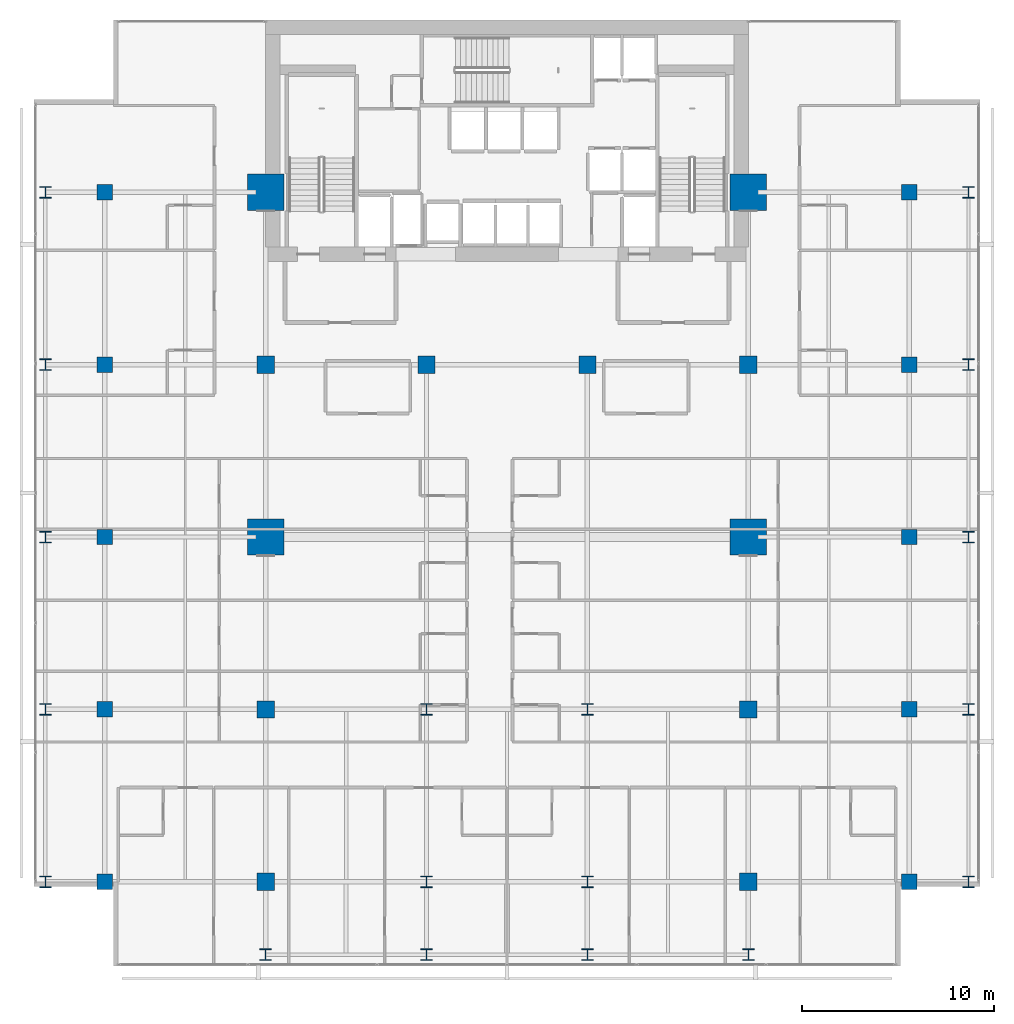
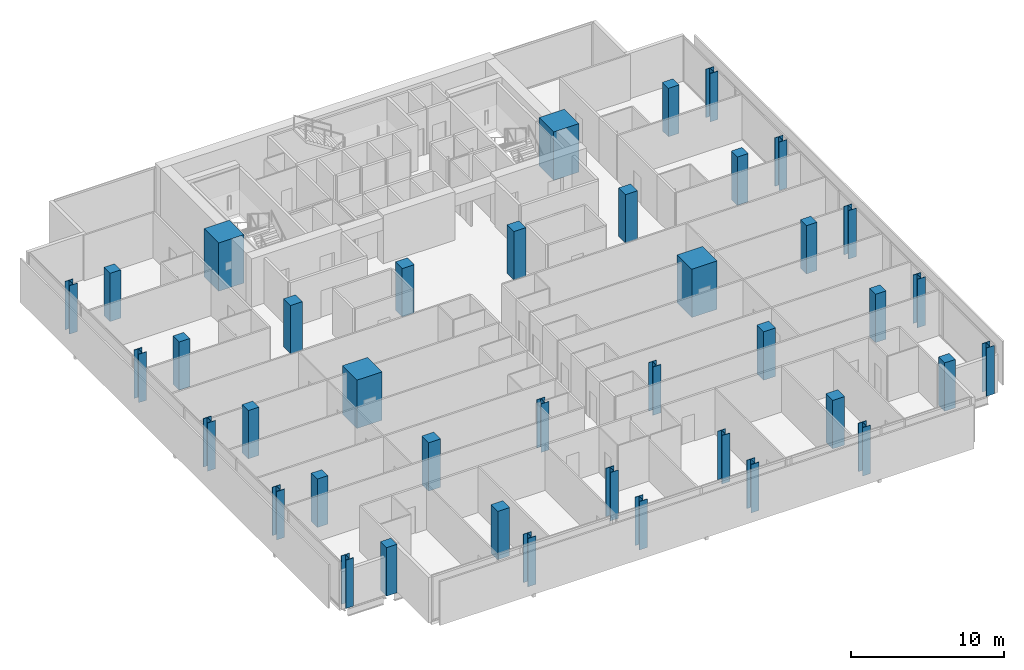
# One storey, part 1 of 34: 40 columns.
"""IFC4 building model written with IfcOpenShell, lengths in metres."""

from ifc_helpers import new_model, si_unit, direction, frame, origin, origin_2d, place, context, subcontext, project, spatial, rectangle, i_section, extrude, material, material_profile, profile_set, type_object, element, save


model = new_model("IFC4")

# Units and contexts
model_context = context("Model", 3, precision=1e-05, world=origin(), true_north=direction((0.0, 1.0)))
body_context = subcontext(model_context, "Body", "Model", "MODEL_VIEW")
ifc_project = project(units=[si_unit("LENGTHUNIT", "METRE"), si_unit("AREAUNIT", "SQUARE_METRE"), si_unit("VOLUMEUNIT", "CUBIC_METRE"), si_unit("PLANEANGLEUNIT", "RADIAN"), si_unit("MASSUNIT", "GRAM", prefix="KILO")], contexts=[model_context])

# Site, building, storey
site_placement = place(None, origin())
site = spatial("IfcSite", under=ifc_project, at=site_placement, CompositionType="ELEMENT")
building_placement = place(site_placement, origin())
building = spatial("IfcBuilding", under=site, at=building_placement, Name="Maruvema Waterfront Hotel and Observation Tower", CompositionType="ELEMENT")
storey_placement = place(building_placement, frame((0.0, 0.0, 189.0)))
storey = spatial("IfcBuildingStorey", under=building, at=storey_placement, Name="L46", CompositionType="ELEMENT", Elevation=189.0)

# Columns
ifc_material_1 = material(Name="Concrete C80/95", Category="concrete")
ifc_material_profile_1 = material_profile(ifc_material_1, rectangle(XDim=1.89990234375, YDim=1.89990234375, at=origin_2d()), Name="MC1900x1900")
ifc_profile_set_1 = profile_set([ifc_material_profile_1], Name="Concrete C80/95")
column_type_1 = type_object("IfcColumnType", Name="Continuous Mega-Column MC1900x1900", PredefinedType="COLUMN", material=ifc_profile_set_1)
for number, where, z_axis, x_axis, name in (
    (1, (25.199951171875, 27.0, 0.0), (0.0, 0.0, 1.0), (1.0, 0.0, 0.0), "L46 Continuous Mega-Column MC-01"),
    (2, (50.39990234375, 27.0, 0.0), (0.0, 0.0, 1.0), (1.0, 0.0, 0.0), "L46 Continuous Mega-Column MC-02"),
    (3, (25.199951171875, 45.0, 0.0), (0.0, 0.0, 1.0), (1.0, 0.0, 0.0), "L46 Continuous Mega-Column MC-03"),
    (4, (50.39990234375, 45.0, 0.0), (0.0, 0.0, 1.0), (1.0, 0.0, 0.0), "L46 Continuous Mega-Column MC-04"),
):
    element("IfcColumn", number, at=place(storey_placement, frame(where, z_axis=z_axis, x_axis=x_axis)), inside=storey, type_object=column_type_1, Name=name, PredefinedType="COLUMN", context=body_context, shape_type="SweptSolid", body=[
        extrude(rectangle(XDim=1.89990234375, YDim=1.89990234375, at=origin_2d()), origin(), (0.0, 0.0, 1.0), 3.85009765625),
    ])
ifc_material_2 = material(Name="Concrete C60/75", Category="concrete")
ifc_material_profile_2 = material_profile(ifc_material_2, rectangle(XDim=0.800048828125, YDim=0.800048828125, at=origin_2d()), Name="RC800x800")
ifc_profile_set_2 = profile_set([ifc_material_profile_2], Name="Concrete C60/75")
column_type_2 = type_object("IfcColumnType", Name="Reinforced Concrete Column RC800x800", PredefinedType="COLUMN", material=ifc_profile_set_2)
for number, where, z_axis, x_axis, name in (
    (5, (16.800048828125, 9.0, 0.0), (0.0, 0.0, 1.0), (1.0, 0.0, 0.0), "L46 Column C-3Y9"),
    (6, (58.800048828125, 9.0, 0.0), (0.0, 0.0, 1.0), (1.0, 0.0, 0.0), "L46 Column C-8Y9"),
    (7, (16.800048828125, 18.0, 0.0), (0.0, 0.0, 1.0), (1.0, 0.0, 0.0), "L46 Column C-3Y18"),
    (8, (58.800048828125, 18.0, 0.0), (0.0, 0.0, 1.0), (1.0, 0.0, 0.0), "L46 Column C-8Y18"),
    (9, (16.800048828125, 27.0, 0.0), (0.0, 0.0, 1.0), (1.0, 0.0, 0.0), "L46 Column C-3Y27"),
    (10, (58.800048828125, 27.0, 0.0), (0.0, 0.0, 1.0), (1.0, 0.0, 0.0), "L46 Column C-8Y27"),
    (11, (16.800048828125, 36.0, 0.0), (0.0, 0.0, 1.0), (1.0, 0.0, 0.0), "L46 Column C-3Y36"),
    (12, (58.800048828125, 36.0, 0.0), (0.0, 0.0, 1.0), (1.0, 0.0, 0.0), "L46 Column C-8Y36"),
    (13, (16.800048828125, 45.0, 0.0), (0.0, 0.0, 1.0), (1.0, 0.0, 0.0), "L46 Column C-3Y45"),
    (14, (58.800048828125, 45.0, 0.0), (0.0, 0.0, 1.0), (1.0, 0.0, 0.0), "L46 Column C-8Y45"),
):
    element("IfcColumn", number, at=place(storey_placement, frame(where, z_axis=z_axis, x_axis=x_axis)), inside=storey, type_object=column_type_2, Name=name, PredefinedType="COLUMN", context=body_context, shape_type="SweptSolid", body=[
        extrude(rectangle(XDim=0.800048828125, YDim=0.800048828125, at=origin_2d()), origin(), (0.0, 0.0, 1.0), 3.85009765625),
    ])
ifc_material_3 = material(Name="Concrete C60/75", Category="concrete")
ifc_material_profile_3 = material_profile(ifc_material_3, rectangle(XDim=0.89990234375, YDim=0.89990234375, at=origin_2d()), Name="RC900x900")
ifc_profile_set_3 = profile_set([ifc_material_profile_3], Name="Concrete C60/75")
column_type_3 = type_object("IfcColumnType", Name="Reinforced Concrete Column RC900x900", PredefinedType="COLUMN", material=ifc_profile_set_3)
for number, where, z_axis, x_axis, name in (
    (15, (25.199951171875, 36.0, 0.0), (0.0, 0.0, 1.0), (1.0, 0.0, 0.0), "L46 Column C-4E"),
    (16, (33.60009765625, 36.0, 0.0), (0.0, 0.0, 1.0), (1.0, 0.0, 0.0), "L46 Column C-5E"),
    (17, (42.0, 36.0, 0.0), (0.0, 0.0, 1.0), (1.0, 0.0, 0.0), "L46 Column C-6E"),
    (18, (50.39990234375, 36.0, 0.0), (0.0, 0.0, 1.0), (1.0, 0.0, 0.0), "L46 Column C-7E"),
    (19, (25.199951171875, 18.0, 0.0), (0.0, 0.0, 1.0), (1.0, 0.0, 0.0), "L46 Column C-4C"),
    (20, (50.39990234375, 18.0, 0.0), (0.0, 0.0, 1.0), (1.0, 0.0, 0.0), "L46 Column C-7C"),
    (21, (25.199951171875, 9.0, 0.0), (0.0, 0.0, 1.0), (1.0, 0.0, 0.0), "L46 Column C-4B"),
    (22, (50.39990234375, 9.0, 0.0), (0.0, 0.0, 1.0), (1.0, 0.0, 0.0), "L46 Column C-7B"),
):
    element("IfcColumn", number, at=place(storey_placement, frame(where, z_axis=z_axis, x_axis=x_axis)), inside=storey, type_object=column_type_3, Name=name, PredefinedType="COLUMN", context=body_context, shape_type="SweptSolid", body=[
        extrude(rectangle(XDim=0.89990234375, YDim=0.89990234375, at=origin_2d()), origin(), (0.0, 0.0, 1.0), 3.85009765625),
    ])
ifc_material_4 = material(Name="Steel ABNT NBR 7007 AR 415 (ASTM A572 Grade 50)", Category="steel")
ifc_material_profile_4 = material_profile(ifc_material_4, i_section(OverallWidth=0.60009765625, OverallDepth=0.60009765625, WebThickness=0.02490234375, FlangeThickness=0.0380859375, at=origin_2d()), Name="CVS600x317")
ifc_profile_set_4 = profile_set([ifc_material_profile_4], Name="Steel ABNT NBR 7007 AR 415 (ASTM A572 Grade 50)")
column_type_4 = type_object("IfcColumnType", Name="Structural Steel Column CVS600x317", PredefinedType="COLUMN", material=ifc_profile_set_4)
for number, where, z_axis, x_axis, name in (
    (23, (33.60009765625, 9.0, 0.0), (0.0, 0.0, 1.0), (1.0, 0.0, 0.0), "L46 Column C-5B"),
    (24, (42.0, 9.0, 0.0), (0.0, 0.0, 1.0), (1.0, 0.0, 0.0), "L46 Column C-6B"),
    (25, (33.60009765625, 18.0, 0.0), (0.0, 0.0, 1.0), (1.0, 0.0, 0.0), "L46 Column C-5C"),
    (26, (42.0, 18.0, 0.0), (0.0, 0.0, 1.0), (1.0, 0.0, 0.0), "L46 Column C-6C"),
    (27, (13.699951171875, 9.0, 0.0), (0.0, 0.0, 1.0), (1.0, 0.0, 0.0), "L46 Column C-Z2W9"),
    (28, (61.89990234375, 9.0, 0.0), (0.0, 0.0, 1.0), (1.0, 0.0, 0.0), "L46 Column C-Z2E9"),
    (29, (13.699951171875, 18.0, 0.0), (0.0, 0.0, 1.0), (1.0, 0.0, 0.0), "L46 Column C-Z2W18"),
    (30, (61.89990234375, 18.0, 0.0), (0.0, 0.0, 1.0), (1.0, 0.0, 0.0), "L46 Column C-Z2E18"),
    (31, (13.699951171875, 27.0, 0.0), (0.0, 0.0, 1.0), (1.0, 0.0, 0.0), "L46 Column C-Z2W27"),
    (32, (61.89990234375, 27.0, 0.0), (0.0, 0.0, 1.0), (1.0, 0.0, 0.0), "L46 Column C-Z2E27"),
    (33, (13.699951171875, 36.0, 0.0), (0.0, 0.0, 1.0), (1.0, 0.0, 0.0), "L46 Column C-Z2W36"),
    (34, (61.89990234375, 36.0, 0.0), (0.0, 0.0, 1.0), (1.0, 0.0, 0.0), "L46 Column C-Z2E36"),
    (35, (13.699951171875, 45.0, 0.0), (0.0, 0.0, 1.0), (1.0, 0.0, 0.0), "L46 Column C-Z2W45"),
    (36, (61.89990234375, 45.0, 0.0), (0.0, 0.0, 1.0), (1.0, 0.0, 0.0), "L46 Column C-Z2E45"),
    (37, (25.199951171875, 5.199951171875, 0.0), (0.0, 0.0, 1.0), (1.0, 0.0, 0.0), "L46 Column C-Z2S4"),
    (38, (33.60009765625, 5.199951171875, 0.0), (0.0, 0.0, 1.0), (1.0, 0.0, 0.0), "L46 Column C-Z2S5"),
    (39, (42.0, 5.199951171875, 0.0), (0.0, 0.0, 1.0), (1.0, 0.0, 0.0), "L46 Column C-Z2S6"),
    (40, (50.39990234375, 5.199951171875, 0.0), (0.0, 0.0, 1.0), (1.0, 0.0, 0.0), "L46 Column C-Z2S7"),
):
    element("IfcColumn", number, at=place(storey_placement, frame(where, z_axis=z_axis, x_axis=x_axis)), inside=storey, type_object=column_type_4, Name=name, PredefinedType="COLUMN", context=body_context, shape_type="SweptSolid", body=[
        extrude(i_section(OverallWidth=0.60009765625, OverallDepth=0.60009765625, WebThickness=0.02490234375, FlangeThickness=0.0380859375, at=origin_2d()), origin(), (0.0, 0.0, 1.0), 3.85009765625),
    ])

save(model, "model.ifc")
